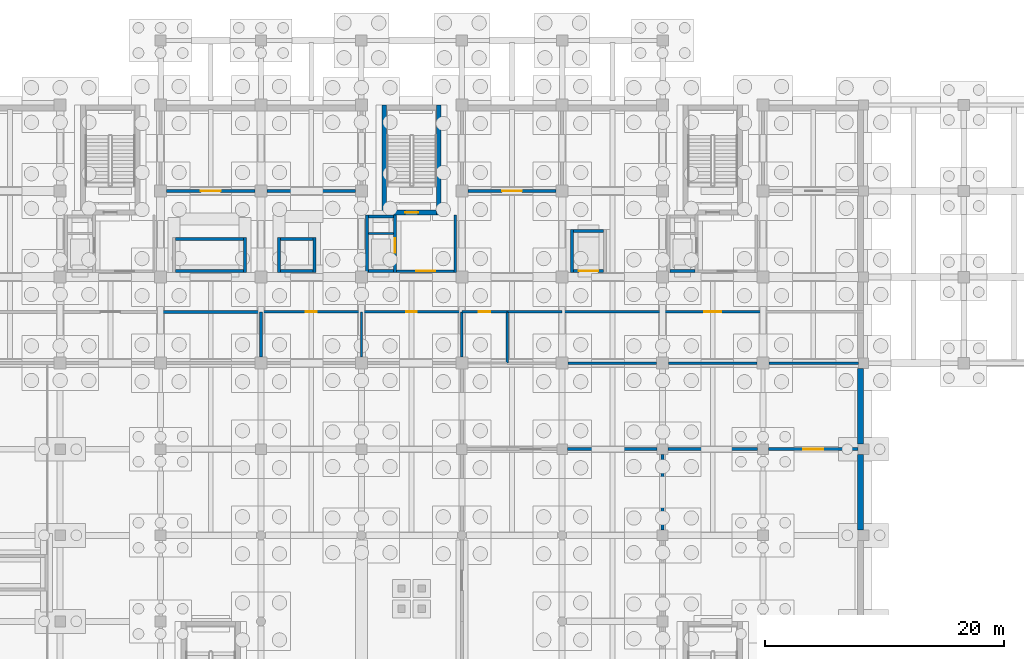
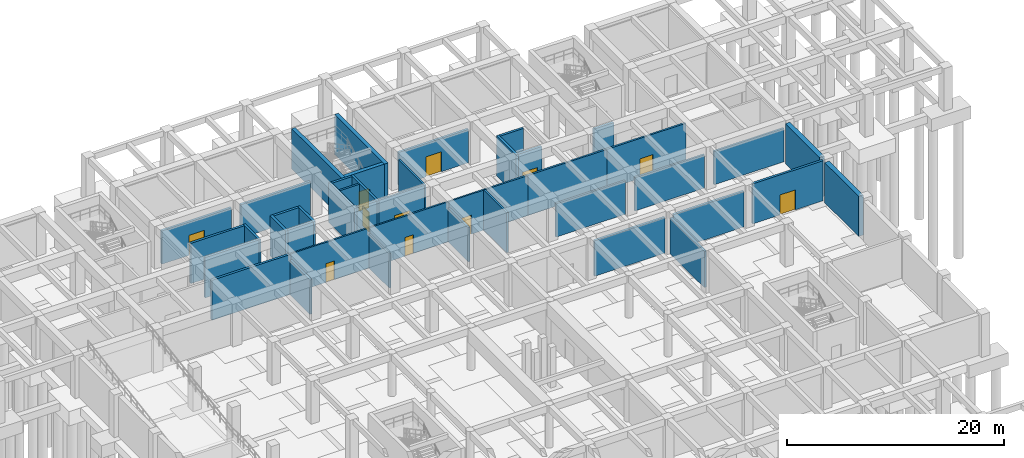
# One storey, part 19 of 26: 44 walls, 11 doors, 11 openings.
"""IFC4 building model written with IfcOpenShell, lengths in metres."""

from ifc_helpers import new_model, si_unit, direction, frame, frame_2d, origin, place, context, subcontext, project, spatial, rectangle, extrude, material, layer, layer_set, type_object, element, fill, save


model = new_model("IFC4")

# Units and contexts
model_context = context("Model", 3, precision=1e-05, world=origin(), true_north=direction((0.0, 1.0)))
body_context = subcontext(model_context, "Body", "Model", "MODEL_VIEW")
ifc_project = project(units=[si_unit("LENGTHUNIT", "METRE"), si_unit("AREAUNIT", "SQUARE_METRE"), si_unit("VOLUMEUNIT", "CUBIC_METRE"), si_unit("PLANEANGLEUNIT", "RADIAN"), si_unit("MASSUNIT", "GRAM", prefix="KILO")], contexts=[model_context])

# Site, building, storey
site_placement = place(None, origin())
site = spatial("IfcSite", under=ifc_project, at=site_placement, CompositionType="ELEMENT")
building_placement = place(site_placement, origin())
building = spatial("IfcBuilding", under=site, at=building_placement, Name="Kenerak Square Central Library", CompositionType="ELEMENT")
storey_placement = place(building_placement, frame((0.0, 0.0, -4.800048828125)))
storey = spatial("IfcBuildingStorey", under=building, at=storey_placement, Name="B1", CompositionType="ELEMENT", Elevation=-4.800048828125)

# Walls
ifc_material_1 = material(Name="Concrete C40/50", Category="concrete")
ifc_layer_1 = layer(ifc_material_1, 0.25)
ifc_layer_set_1 = layer_set([ifc_layer_1], Name="Concrete C40/50")
wall_type_1 = type_object("IfcWallType", Name="Archive Compartment Wall IW-250 C40/50", PredefinedType="SOLIDWALL", material=ifc_layer_set_1)
for number, where, z_axis, x_axis, name in (
    (1, (100.85009765625, 81.60009765625, 0.0), (0.0, 0.0, 1.0), (1.0, 0.0, 0.0), "Interior Wall IW-B1-02-N1-B3"),
    (2, (109.25, 81.60009765625, 0.0), (0.0, 0.0, 1.0), (1.0, 0.0, 0.0), "Interior Wall IW-B1-03-N1-B1"),
):
    element("IfcWall", number, at=place(storey_placement, frame(where, z_axis=z_axis, x_axis=x_axis)), inside=storey, type_object=wall_type_1, Name=name, PredefinedType="SOLIDWALL", context=body_context, shape_type="SweptSolid", body=[
        extrude(rectangle(XDim=7.5, YDim=0.25, at=frame_2d((3.75, 0.0))), origin(), (0.0, 0.0, 1.0), 4.0),
    ])

# Wall, opening, door
wall_1_placement = place(storey_placement, frame((117.64990234375, 81.60009765625, 0.0), z_axis=(0.0, 0.0, 1.0), x_axis=(1.0, 0.0, 0.0)))
wall_1 = element("IfcWall", 3, at=wall_1_placement, inside=storey, type_object=wall_type_1, Name="Interior Wall IW-B1-03-N1-B2", PredefinedType="SOLIDWALL", context=body_context, shape_type="SweptSolid", body=[
    extrude(rectangle(XDim=7.5, YDim=0.25, at=frame_2d((3.75, 0.0))), origin(), (0.0, 0.0, 1.0), 4.5),
])
opening_1_placement = place(wall_1_placement, frame((2.925048828125, 0.0, 0.0)))
opening_1 = element("IfcOpeningElement", 4, at=opening_1_placement, cuts=wall_1, Name="Opening ID-08", PredefinedType="OPENING", context=body_context, shape_type="SweptSolid", body=[
    extrude(rectangle(XDim=1.64990234375, YDim=2.25, at=frame_2d((0.824951171875, 1.125))), frame((0.0, 0.135009765625, 0.0), z_axis=(0.0, -1.0, 0.0), x_axis=(1.0, 0.0, 0.0)), (0.0, 0.0, 1.0), 0.27001953125),
])
ifc_material_2 = material(Name="Steel S355", Category="steel")
door_type_1 = type_object("IfcDoorType", Name="Vault Fire Compartment Double Door ID-1650x2250 FD120S", OperationType="NOTDEFINED", PredefinedType="DOOR", material=ifc_material_2)
door_1_placement = place(opening_1_placement, origin())
door_1 = element("IfcDoor", 5, at=door_1_placement, inside=storey, type_object=door_type_1, Name="Compact Mobile-Shelving Archive Vault East Door", OperationType="DOUBLE_DOOR_SINGLE_SWING", OverallHeight=2.25, OverallWidth=1.64990234375, PredefinedType="DOOR", context=body_context, shape_type="SweptSolid", body=[
    extrude(rectangle(XDim=1.64990234375, YDim=2.25, at=frame_2d((0.824951171875, 1.125))), frame((0.0, 0.02490234375, 0.0), z_axis=(0.0, -1.0, 0.0), x_axis=(1.0, 0.0, 0.0)), (0.0, 0.0, 1.0), 0.050048828125),
])
fill(opening_1, door_1)

# Walls
wall_2_placement = place(storey_placement, frame((66.800048828125, 93.10009765625, 0.0), z_axis=(0.0, 0.0, 1.0), x_axis=(1.0, 0.0, 0.0)))
element("IfcWall", 6, at=wall_2_placement, inside=storey, type_object=wall_type_1, Name="Interior Wall IW-B1-04-N1-B3", PredefinedType="SOLIDWALL", context=body_context, shape_type="SweptSolid", body=[
    extrude(rectangle(XDim=8.39990234375, YDim=0.25, at=frame_2d((4.199951171875, 0.0))), origin(), (0.0, 0.0, 1.0), 4.5),
])
wall_3_placement = place(storey_placement, frame((83.10009765625, 103.199951171875, 0.0), z_axis=(0.0, 0.0, 1.0), x_axis=(-1.0, 0.0, 0.0)))
element("IfcWall", 7, at=wall_3_placement, inside=storey, type_object=wall_type_1, Name="Interior Wall IW-B1-11-S1-B1", PredefinedType="SOLIDWALL", context=body_context, shape_type="SweptSolid", body=[
    extrude(rectangle(XDim=7.400146484375, YDim=0.25, at=frame_2d((3.7001953125, 0.0))), origin(), (0.0, 0.0, 1.0), 3.75),
])

# Wall, opening, door
wall_4_placement = place(storey_placement, frame((74.699951171875, 103.199951171875, 0.0), z_axis=(0.0, 0.0, 1.0), x_axis=(-1.0, 0.0, 0.0)))
wall_4 = element("IfcWall", 8, at=wall_4_placement, inside=storey, type_object=wall_type_1, Name="Interior Wall IW-B1-11-S1-B2", PredefinedType="SOLIDWALL", context=body_context, shape_type="SweptSolid", body=[
    extrude(rectangle(XDim=7.39990234375, YDim=0.25, at=frame_2d((3.699951171875, 0.0))), origin(), (0.0, 0.0, 1.0), 3.75),
])
opening_2_placement = place(wall_4_placement, frame((2.875, 0.0, 0.0)))
opening_2 = element("IfcOpeningElement", 9, at=opening_2_placement, cuts=wall_4, Name="Opening ID-08", PredefinedType="OPENING", context=body_context, shape_type="SweptSolid", body=[
    extrude(rectangle(XDim=1.64990234375, YDim=2.25, at=frame_2d((0.824951171875, 1.125))), frame((0.0, 0.135009765625, 0.0), z_axis=(0.0, -1.0, 0.0), x_axis=(1.0, 0.0, 0.0)), (0.0, 0.0, 1.0), 0.27001953125),
])
door_2_placement = place(opening_2_placement, origin())
door_2 = element("IfcDoor", 10, at=door_2_placement, inside=storey, type_object=door_type_1, Name="Bound Newspaper Microfilm Compact Vault Door", OperationType="DOUBLE_DOOR_SINGLE_SWING", OverallHeight=2.25, OverallWidth=1.64990234375, PredefinedType="DOOR", context=body_context, shape_type="SweptSolid", body=[
    extrude(rectangle(XDim=1.64990234375, YDim=2.25, at=frame_2d((0.824951171875, 1.125))), frame((0.0, 0.02490234375, 0.0), z_axis=(0.0, -1.0, 0.0), x_axis=(1.0, 0.0, 0.0)), (0.0, 0.0, 1.0), 0.050048828125),
])
fill(opening_2, door_2)

wall_5_placement = place(storey_placement, frame((99.89990234375, 103.199951171875, 0.0), z_axis=(0.0, 0.0, 1.0), x_axis=(-1.0, 0.0, 0.0)))
wall_5 = element("IfcWall", 11, at=wall_5_placement, inside=storey, type_object=wall_type_1, Name="Interior Wall IW-B1-12-S1-B1", PredefinedType="SOLIDWALL", context=body_context, shape_type="SweptSolid", body=[
    extrude(rectangle(XDim=7.39990234375, YDim=0.25, at=frame_2d((3.699951171875, 0.0))), origin(), (0.0, 0.0, 1.0), 3.75),
])
opening_3_placement = place(wall_5_placement, frame((2.875, 0.0, 0.0)))
opening_3 = element("IfcOpeningElement", 12, at=opening_3_placement, cuts=wall_5, Name="Opening ID-08", PredefinedType="OPENING", context=body_context, shape_type="SweptSolid", body=[
    extrude(rectangle(XDim=1.64990234375, YDim=2.25, at=frame_2d((0.824951171875, 1.125))), frame((0.0, 0.135009765625, 0.0), z_axis=(0.0, -1.0, 0.0), x_axis=(1.0, 0.0, 0.0)), (0.0, 0.0, 1.0), 0.27001953125),
])
door_3_placement = place(opening_3_placement, origin())
door_3 = element("IfcDoor", 13, at=door_3_placement, inside=storey, type_object=door_type_1, Name="Government Gazette Archival Compact Stack Door", OperationType="DOUBLE_DOOR_SINGLE_SWING", OverallHeight=2.25, OverallWidth=1.64990234375, PredefinedType="DOOR", context=body_context, shape_type="SweptSolid", body=[
    extrude(rectangle(XDim=1.64990234375, YDim=2.25, at=frame_2d((0.824951171875, 1.125))), frame((0.0, 0.02490234375, 0.0), z_axis=(0.0, -1.0, 0.0), x_axis=(1.0, 0.0, 0.0)), (0.0, 0.0, 1.0), 0.050048828125),
])
fill(opening_3, door_3)

# Walls
wall_6_placement = place(storey_placement, frame((108.800048828125, 81.14990234375, 0.0), z_axis=(0.0, 0.0, 1.0), x_axis=(0.0, -1.0, 0.0)))
element("IfcWall", 14, at=wall_6_placement, inside=storey, type_object=wall_type_1, Name="Interior Wall IW-B1-02-E3-B1", PredefinedType="SOLIDWALL", context=body_context, shape_type="SweptSolid", body=[
    extrude(rectangle(XDim=6.2998046875, YDim=0.25, at=frame_2d((3.14990234375, 0.0))), origin(), (0.0, 0.0, 1.0), 4.050048828125),
])
wall_7_placement = place(storey_placement, frame((75.199951171875, 93.10009765625, 0.0), z_axis=(0.0, 0.0, 1.0), x_axis=(0.0, -1.0, 0.0)))
element("IfcWall", 15, at=wall_7_placement, inside=storey, type_object=wall_type_1, Name="Interior Wall IW-B1-04-E3-B1", PredefinedType="SOLIDWALL", context=body_context, shape_type="SweptSolid", body=[
    extrude(rectangle(XDim=3.800048828125, YDim=0.25, at=frame_2d((1.89990234375, 0.0))), origin(), (0.0, 0.0, 1.0), 3.85009765625),
])
ifc_layer_2 = layer(ifc_material_1, 0.39990234375)
ifc_layer_set_2 = layer_set([ifc_layer_2], Name="Concrete C40/50")
wall_type_2 = type_object("IfcWallType", Name="Core Shear Wall CW-400 C40/50", PredefinedType="SHEAR", material=ifc_layer_set_2)
for number, where, z_axis, x_axis, name in (
    (16, (85.52001953125, 101.199951171875, 0.0), (0.0, 0.0, 1.0), (0.0, 1.0, 0.0), "Core Wall CW-C2 B1 West"),
    (17, (90.080078125, 110.39990234375, 0.0), (0.0, 0.0, 1.0), (0.0, -1.0, 0.0), "Core Wall CW-C2 B1 East"),
):
    element("IfcWall", number, at=place(storey_placement, frame(where, z_axis=z_axis, x_axis=x_axis)), inside=storey, type_object=wall_type_2, Name=name, PredefinedType="SHEAR", context=body_context, shape_type="SweptSolid", body=[
        extrude(rectangle(XDim=9.199951171875, YDim=0.39990234375, at=frame_2d((4.60009765625, 0.0))), origin(), (0.0, 0.0, 1.0), 4.5),
    ])

# Wall, opening, door
wall_8_placement = place(storey_placement, frame((89.8798828125, 101.39990234375, 0.0), z_axis=(0.0, 0.0, 1.0), x_axis=(-1.0, 0.0, 0.0)))
wall_8 = element("IfcWall", 18, at=wall_8_placement, inside=storey, type_object=wall_type_2, Name="Core Wall CW-C2 B1 South", PredefinedType="SHEAR", context=body_context, shape_type="SweptSolid", body=[
    extrude(rectangle(XDim=4.159912109375, YDim=0.39990234375, at=frame_2d((2.080078125, 0.0))), origin(), (0.0, 0.0, 1.0), 4.5),
])
opening_4_placement = place(wall_8_placement, frame((1.530029296875, 0.0, 0.0)))
opening_4 = element("IfcOpeningElement", 19, at=opening_4_placement, cuts=wall_8, Name="Opening D-ST1", PredefinedType="OPENING", context=body_context, shape_type="SweptSolid", body=[
    extrude(rectangle(XDim=1.10009765625, YDim=2.199951171875, at=frame_2d((0.550048828125, 1.10009765625))), frame((0.0, 0.2099609375, 0.0), z_axis=(0.0, -1.0, 0.0), x_axis=(1.0, 0.0, 0.0)), (0.0, 0.0, 1.0), 0.419921875),
])
door_type_2 = type_object("IfcDoorType", Name="Protected Stair Fire Door FD-1100x2200 FD60S", OperationType="NOTDEFINED", PredefinedType="DOOR", material=ifc_material_2)
door_4_placement = place(opening_4_placement, frame((1.10009765625, 0.0, 0.0), z_axis=(0.0, 0.0, 1.0), x_axis=(-1.0, 0.0, 0.0)))
door_4 = element("IfcDoor", 20, at=door_4_placement, inside=storey, type_object=door_type_2, Name="Stair Door ST-02 B1", OperationType="SINGLE_SWING_LEFT", OverallHeight=2.199951171875, OverallWidth=1.10009765625, PredefinedType="DOOR", context=body_context, shape_type="SweptSolid", body=[
    extrude(rectangle(XDim=1.10009765625, YDim=2.199951171875, at=frame_2d((0.550048828125, 1.10009765625))), frame((0.0, 0.02490234375, 0.0), z_axis=(0.0, -1.0, 0.0), x_axis=(1.0, 0.0, 0.0)), (0.0, 0.0, 1.0), 0.050048828125),
])
fill(opening_4, door_4)

# Walls
ifc_layer_3 = layer(ifc_material_1, 0.199951171875)
ifc_layer_set_3 = layer_set([ifc_layer_3], Name="Concrete C40/50")
wall_type_3 = type_object("IfcWallType", Name="Lobby Compartment Wall LW-200 C40/50", PredefinedType="SOLIDWALL", material=ifc_layer_set_3)
wall_9_placement = place(storey_placement, frame((84.199951171875, 99.64990234375, 0.0), z_axis=(0.0, 0.0, 1.0), x_axis=(1.0, 0.0, 0.0)))
element("IfcWall", 21, at=wall_9_placement, inside=storey, type_object=wall_type_3, Name="Riser Divider Wall C2 B1", PredefinedType="SOLIDWALL", context=body_context, shape_type="SweptSolid", body=[
    extrude(rectangle(XDim=2.10009765625, YDim=0.199951171875, at=frame_2d((1.050048828125, 0.0))), origin(), (0.0, 0.0, 1.0), 4.5),
])
wall_10_placement = place(storey_placement, frame((91.449951171875, 101.199951171875, 0.0), z_axis=(0.0, 0.0, 1.0), x_axis=(0.0, -1.0, 0.0)))
element("IfcWall", 22, at=wall_10_placement, inside=storey, type_object=wall_type_3, Name="Firefighting Lobby East Wall C2 B1", PredefinedType="SOLIDWALL", context=body_context, shape_type="SweptSolid", body=[
    extrude(rectangle(XDim=4.800048828125, YDim=0.199951171875, at=frame_2d((2.39990234375, 0.0))), origin(), (0.0, 0.0, 1.0), 4.5),
])

# Wall, opening, door
wall_11_placement = place(storey_placement, frame((91.35009765625, 96.5, 0.0), z_axis=(0.0, 0.0, 1.0), x_axis=(-1.0, 0.0, 0.0)))
wall_11 = element("IfcWall", 23, at=wall_11_placement, inside=storey, type_object=wall_type_3, Name="Firefighting Lobby South Wall C2 B1", PredefinedType="SOLIDWALL", context=body_context, shape_type="SweptSolid", body=[
    extrude(rectangle(XDim=4.800048828125, YDim=0.199951171875, at=frame_2d((2.39990234375, 0.0))), origin(), (0.0, 0.0, 1.0), 4.5),
])
opening_5_placement = place(wall_11_placement, frame((1.550048828125, 0.0, 0.0)))
opening_5 = element("IfcOpeningElement", 24, at=opening_5_placement, cuts=wall_11, Name="Opening D-FFL", PredefinedType="OPENING", context=body_context, shape_type="SweptSolid", body=[
    extrude(rectangle(XDim=1.60009765625, YDim=2.199951171875, at=frame_2d((0.800048828125, 1.10009765625))), frame((0.0, 0.10986328125, 0.0), z_axis=(0.0, -1.0, 0.0), x_axis=(1.0, 0.0, 0.0)), (0.0, 0.0, 1.0), 0.219970703125),
])
door_type_3 = type_object("IfcDoorType", Name="Firefighting Lobby Double Door FD-1600x2200 FD60S", OperationType="NOTDEFINED", PredefinedType="DOOR", material=ifc_material_2)
door_5_placement = place(opening_5_placement, frame((1.60009765625, 0.0, 0.0), z_axis=(0.0, 0.0, 1.0), x_axis=(-1.0, 0.0, 0.0)))
door_5 = element("IfcDoor", 25, at=door_5_placement, inside=storey, type_object=door_type_3, Name="Firefighting Lobby Door C2 B1", OperationType="DOUBLE_DOOR_SINGLE_SWING", OverallHeight=2.199951171875, OverallWidth=1.60009765625, PredefinedType="DOOR", context=body_context, shape_type="SweptSolid", body=[
    extrude(rectangle(XDim=1.60009765625, YDim=2.199951171875, at=frame_2d((0.800048828125, 1.10009765625))), frame((0.0, 0.02490234375, 0.0), z_axis=(0.0, -1.0, 0.0), x_axis=(1.0, 0.0, 0.0)), (0.0, 0.0, 1.0), 0.050048828125),
])
fill(opening_5, door_5)

# Walls
ifc_material_3 = material(Name="Precast concrete C40/50", Category="concrete")
ifc_layer_4 = layer(ifc_material_3, 0.199951171875)
ifc_layer_set_4 = layer_set([ifc_layer_4], Name="Precast concrete C40/50")
wall_type_4 = type_object("IfcWallType", Name="Protected Corridor Fire Wall IW-200 C40/50", PredefinedType="PARTITIONING", material=ifc_layer_set_4)
wall_12_placement = place(storey_placement, frame((95.800048828125, 93.10009765625, 0.0), z_axis=(0.0, 0.0, 1.0), x_axis=(1.0, 0.0, 0.0)))
element("IfcWall", 26, at=wall_12_placement, inside=storey, type_object=wall_type_4, Name="Interior Wall IW-B1-07-N1-B1", PredefinedType="PARTITIONING", context=body_context, shape_type="SweptSolid", body=[
    extrude(rectangle(XDim=4.599853515625, YDim=0.199951171875, at=frame_2d((2.2998046875, 0.0))), origin(), (0.0, 0.0, 1.0), 4.5),
])
wall_13_placement = place(storey_placement, frame((100.39990234375, 93.10009765625, 0.0), z_axis=(0.0, 0.0, 1.0), x_axis=(1.0, 0.0, 0.0)))
element("IfcWall", 27, at=wall_13_placement, inside=storey, type_object=wall_type_4, Name="Interior Wall IW-B1-07-N1-B2", PredefinedType="PARTITIONING", context=body_context, shape_type="SweptSolid", body=[
    extrude(rectangle(XDim=8.400146484375, YDim=0.199951171875, at=frame_2d((4.2001953125, 0.0))), origin(), (0.0, 0.0, 1.0), 4.5),
])

# Wall, opening, door
wall_14_placement = place(storey_placement, frame((108.800048828125, 93.10009765625, 0.0), z_axis=(0.0, 0.0, 1.0), x_axis=(1.0, 0.0, 0.0)))
wall_14 = element("IfcWall", 28, at=wall_14_placement, inside=storey, type_object=wall_type_4, Name="Interior Wall IW-B1-07-N1-B3", PredefinedType="PARTITIONING", context=body_context, shape_type="SweptSolid", body=[
    extrude(rectangle(XDim=8.39990234375, YDim=0.199951171875, at=frame_2d((4.199951171875, 0.0))), origin(), (0.0, 0.0, 1.0), 4.5),
])
opening_6_placement = place(wall_14_placement, frame((3.5, 0.0, 0.0)))
opening_6 = element("IfcOpeningElement", 29, at=opening_6_placement, cuts=wall_14, Name="Opening ID-07", PredefinedType="OPENING", context=body_context, shape_type="SweptSolid", body=[
    extrude(rectangle(XDim=1.39990234375, YDim=2.199951171875, at=frame_2d((0.699951171875, 1.10009765625))), frame((0.0, 0.10986328125, 0.0), z_axis=(0.0, -1.0, 0.0), x_axis=(1.0, 0.0, 0.0)), (0.0, 0.0, 1.0), 0.219970703125),
])
door_type_4 = type_object("IfcDoorType", Name="Plant and Store Unequal Pair Door ID-1400x2200 FD60S", OperationType="NOTDEFINED", PredefinedType="DOOR", material=ifc_material_2)
door_6_placement = place(opening_6_placement, origin())
door_6 = element("IfcDoor", 30, at=door_6_placement, inside=storey, type_object=door_type_4, Name="Archival Crate Receiving and Quarantine Store Door", OperationType="SINGLE_SWING_LEFT", OverallHeight=2.199951171875, OverallWidth=1.39990234375, PredefinedType="DOOR", context=body_context, shape_type="SweptSolid", body=[
    extrude(rectangle(XDim=1.39990234375, YDim=2.199951171875, at=frame_2d((0.699951171875, 1.10009765625))), frame((0.0, 0.02490234375, 0.0), z_axis=(0.0, -1.0, 0.0), x_axis=(1.0, 0.0, 0.0)), (0.0, 0.0, 1.0), 0.050048828125),
])
fill(opening_6, door_6)

# Walls
wall_15_placement = place(storey_placement, frame((125.175048828125, 88.800048828125, 0.0), z_axis=(0.0, 0.0, 1.0), x_axis=(-1.0, 0.0, 0.0)))
element("IfcWall", 31, at=wall_15_placement, inside=storey, type_object=wall_type_4, Name="Interior Wall IW-B1-07-S2-B1", PredefinedType="PARTITIONING", context=body_context, shape_type="SweptSolid", body=[
    extrude(rectangle(XDim=7.47509765625, YDim=0.199951171875, at=frame_2d((3.737548828125, 0.0))), origin(), (0.0, 0.0, 1.0), 3.75),
])
wall_16_placement = place(storey_placement, frame((116.699951171875, 88.800048828125, 0.0), z_axis=(0.0, 0.0, 1.0), x_axis=(-1.0, 0.0, 0.0)))
element("IfcWall", 32, at=wall_16_placement, inside=storey, type_object=wall_type_4, Name="Interior Wall IW-B1-07-S2-B2", PredefinedType="PARTITIONING", context=body_context, shape_type="SweptSolid", body=[
    extrude(rectangle(XDim=7.39990234375, YDim=0.199951171875, at=frame_2d((3.699951171875, 0.0))), origin(), (0.0, 0.0, 1.0), 3.75),
])
wall_17_placement = place(storey_placement, frame((108.300048828125, 88.800048828125, 0.0), z_axis=(0.0, 0.0, 1.0), x_axis=(-1.0, 0.0, 0.0)))
element("IfcWall", 33, at=wall_17_placement, inside=storey, type_object=wall_type_4, Name="Interior Wall IW-B1-07-S2-B3", PredefinedType="PARTITIONING", context=body_context, shape_type="SweptSolid", body=[
    extrude(rectangle(XDim=7.400146484375, YDim=0.199951171875, at=frame_2d((3.7001953125, 0.0))), origin(), (0.0, 0.0, 1.0), 3.75),
])
wall_18_placement = place(storey_placement, frame((95.800048828125, 88.800048828125, 0.0), z_axis=(0.0, 0.0, 1.0), x_axis=(0.0, 1.0, 0.0)))
element("IfcWall", 34, at=wall_18_placement, inside=storey, type_object=wall_type_4, Name="Interior Wall IW-B1-07-W3-B1", PredefinedType="PARTITIONING", context=body_context, shape_type="SweptSolid", body=[
    extrude(rectangle(XDim=4.300048828125, YDim=0.199951171875, at=frame_2d((2.14990234375, 0.0))), origin(), (0.0, 0.0, 1.0), 4.5),
])

# Wall, opening, door
ifc_layer_5 = layer(ifc_material_3, 0.175048828125)
ifc_layer_set_5 = layer_set([ifc_layer_5], Name="Precast concrete C40/50")
wall_type_5 = type_object("IfcWallType", Name="Sanitary Plumbing Chase Wall IW-175 C40/50", PredefinedType="PLUMBINGWALL", material=ifc_layer_set_5)
wall_19_placement = place(storey_placement, frame((75.199951171875, 93.10009765625, 0.0), z_axis=(0.0, 0.0, 1.0), x_axis=(1.0, 0.0, 0.0)))
wall_19 = element("IfcWall", 35, at=wall_19_placement, inside=storey, type_object=wall_type_5, Name="Interior Wall IW-B1-08-N2-B1", PredefinedType="PLUMBINGWALL", context=body_context, shape_type="SweptSolid", body=[
    extrude(rectangle(XDim=8.400146484375, YDim=0.175048828125, at=frame_2d((4.2001953125, 0.0))), origin(), (0.0, 0.0, 1.0), 4.5),
])
opening_7_placement = place(wall_19_placement, frame((3.75, 0.0, 0.0)))
opening_7 = element("IfcOpeningElement", 36, at=opening_7_placement, cuts=wall_19, Name="Opening ID-01", PredefinedType="OPENING", context=body_context, shape_type="SweptSolid", body=[
    extrude(rectangle(XDim=0.89990234375, YDim=2.10009765625, at=frame_2d((0.449951171875, 1.050048828125))), frame((0.0, 0.097412109375, 0.0), z_axis=(0.0, -1.0, 0.0), x_axis=(1.0, 0.0, 0.0)), (0.0, 0.0, 1.0), 0.195068359375),
])
ifc_material_4 = material(Name="Chengal hardwood timber SG1", Category="wood")
door_type_5 = type_object("IfcDoorType", Name="Restroom Single Door ID-900x2100", OperationType="NOTDEFINED", PredefinedType="DOOR", material=ifc_material_4)
door_7_placement = place(opening_7_placement, origin())
door_7 = element("IfcDoor", 37, at=door_7_placement, inside=storey, type_object=door_type_5, Name="Basement Male Restroom Door", OperationType="SINGLE_SWING_LEFT", OverallHeight=2.10009765625, OverallWidth=0.89990234375, PredefinedType="DOOR", context=body_context, shape_type="SweptSolid", body=[
    extrude(rectangle(XDim=0.89990234375, YDim=2.10009765625, at=frame_2d((0.449951171875, 1.050048828125))), frame((0.0, 0.02490234375, 0.0), z_axis=(0.0, -1.0, 0.0), x_axis=(1.0, 0.0, 0.0)), (0.0, 0.0, 1.0), 0.050048828125),
])
fill(opening_7, door_7)

wall_20_placement = place(storey_placement, frame((83.60009765625, 93.10009765625, 0.0), z_axis=(0.0, 0.0, 1.0), x_axis=(1.0, 0.0, 0.0)))
wall_20 = element("IfcWall", 38, at=wall_20_placement, inside=storey, type_object=wall_type_5, Name="Interior Wall IW-B1-09-N2-B1", PredefinedType="PLUMBINGWALL", context=body_context, shape_type="SweptSolid", body=[
    extrude(rectangle(XDim=8.39990234375, YDim=0.175048828125, at=frame_2d((4.199951171875, 0.0))), origin(), (0.0, 0.0, 1.0), 4.5),
])
opening_8_placement = place(wall_20_placement, frame((3.75, 0.0, 0.0)))
opening_8 = element("IfcOpeningElement", 39, at=opening_8_placement, cuts=wall_20, Name="Opening ID-01", PredefinedType="OPENING", context=body_context, shape_type="SweptSolid", body=[
    extrude(rectangle(XDim=0.89990234375, YDim=2.10009765625, at=frame_2d((0.449951171875, 1.050048828125))), frame((0.0, 0.097412109375, 0.0), z_axis=(0.0, -1.0, 0.0), x_axis=(1.0, 0.0, 0.0)), (0.0, 0.0, 1.0), 0.195068359375),
])
door_8_placement = place(opening_8_placement, origin())
door_8 = element("IfcDoor", 40, at=door_8_placement, inside=storey, type_object=door_type_5, Name="Basement Female Restroom Door", OperationType="SINGLE_SWING_RIGHT", OverallHeight=2.10009765625, OverallWidth=0.89990234375, PredefinedType="DOOR", context=body_context, shape_type="SweptSolid", body=[
    extrude(rectangle(XDim=0.89990234375, YDim=2.10009765625, at=frame_2d((0.449951171875, 1.050048828125))), frame((0.0, 0.02490234375, 0.0), z_axis=(0.0, -1.0, 0.0), x_axis=(1.0, 0.0, 0.0)), (0.0, 0.0, 1.0), 0.050048828125),
])
fill(opening_8, door_8)

wall_21_placement = place(storey_placement, frame((92.0, 93.10009765625, 0.0), z_axis=(0.0, 0.0, 1.0), x_axis=(1.0, 0.0, 0.0)))
wall_21 = element("IfcWall", 41, at=wall_21_placement, inside=storey, type_object=wall_type_5, Name="Interior Wall IW-B1-10-N2-B1", PredefinedType="PLUMBINGWALL", context=body_context, shape_type="SweptSolid", body=[
    extrude(rectangle(XDim=3.800048828125, YDim=0.175048828125, at=frame_2d((1.89990234375, 0.0))), origin(), (0.0, 0.0, 1.0), 4.5),
])
opening_9_placement = place(wall_21_placement, frame((1.39990234375, 0.0, 0.0)))
opening_9 = element("IfcOpeningElement", 42, at=opening_9_placement, cuts=wall_21, Name="Opening ID-03", PredefinedType="OPENING", context=body_context, shape_type="SweptSolid", body=[
    extrude(rectangle(XDim=1.0, YDim=2.14990234375, at=frame_2d((0.5, 1.074951171875))), frame((0.0, 0.097412109375, 0.0), z_axis=(0.0, -1.0, 0.0), x_axis=(1.0, 0.0, 0.0)), (0.0, 0.0, 1.0), 0.195068359375),
])
door_type_6 = type_object("IfcDoorType", Name="Accessible OKU WC Door ID-1000x2150", OperationType="NOTDEFINED", PredefinedType="DOOR", material=ifc_material_4)
door_9_placement = place(opening_9_placement, origin())
door_9 = element("IfcDoor", 43, at=door_9_placement, inside=storey, type_object=door_type_6, Name="Basement Accessible WC Door", OperationType="SINGLE_SWING_LEFT", OverallHeight=2.14990234375, OverallWidth=1.0, PredefinedType="DOOR", context=body_context, shape_type="SweptSolid", body=[
    extrude(rectangle(XDim=1.0, YDim=2.14990234375, at=frame_2d((0.5, 1.074951171875))), frame((0.0, 0.02490234375, 0.0), z_axis=(0.0, -1.0, 0.0), x_axis=(1.0, 0.0, 0.0)), (0.0, 0.0, 1.0), 0.050048828125),
])
fill(opening_9, door_9)

# Walls
for number, where, z_axis, x_axis, name in (
    (44, (83.60009765625, 93.10009765625, 0.0), (0.0, 0.0, 1.0), (0.0, -1.0, 0.0), "Interior Wall IW-B1-08-E4-B1"),
    (45, (92.0, 93.10009765625, 0.0), (0.0, 0.0, 1.0), (0.0, -1.0, 0.0), "Interior Wall IW-B1-09-E4-B1"),
):
    element("IfcWall", number, at=place(storey_placement, frame(where, z_axis=z_axis, x_axis=x_axis)), inside=storey, type_object=wall_type_5, Name=name, PredefinedType="PLUMBINGWALL", context=body_context, shape_type="SweptSolid", body=[
        extrude(rectangle(XDim=3.800048828125, YDim=0.175048828125, at=frame_2d((1.89990234375, 0.0))), origin(), (0.0, 0.0, 1.0), 3.85009765625),
    ])
ifc_layer_6 = layer(ifc_material_1, 0.25)
ifc_layer_set_6 = layer_set([ifc_layer_6], Name="Concrete C40/50")
wall_type_6 = type_object("IfcWallType", Name="Shaft Enclosure Wall SW-250 C40/50", PredefinedType="SOLIDWALL", material=ifc_layer_set_6)
wall_22_placement = place(storey_placement, frame((84.074951171875, 96.39990234375, 0.0), z_axis=(0.0, 0.0, 1.0), x_axis=(0.0, 1.0, 0.0)))
element("IfcWall", 46, at=wall_22_placement, inside=storey, type_object=wall_type_6, Name="Core Wall FLW-C2 B1 West", PredefinedType="SOLIDWALL", context=body_context, shape_type="SweptSolid", body=[
    extrude(rectangle(XDim=4.800048828125, YDim=0.25, at=frame_2d((2.39990234375, 0.0))), origin(), (0.0, 0.0, 1.0), 4.5),
])

# Wall, opening, door
wall_23_placement = place(storey_placement, frame((86.425048828125, 101.199951171875, 0.0), z_axis=(0.0, 0.0, 1.0), x_axis=(0.0, -1.0, 0.0)))
wall_23 = element("IfcWall", 47, at=wall_23_placement, inside=storey, type_object=wall_type_6, Name="Core Wall FLW-C2 B1 East", PredefinedType="SOLIDWALL", context=body_context, shape_type="SweptSolid", body=[
    extrude(rectangle(XDim=4.800048828125, YDim=0.25, at=frame_2d((2.39990234375, 0.0))), origin(), (0.0, 0.0, 1.0), 4.5),
])
opening_10_placement = place(wall_23_placement, frame((1.949951171875, 0.0, 0.0)))
opening_10 = element("IfcOpeningElement", 48, at=opening_10_placement, cuts=wall_23, Name="Opening LD-FL", PredefinedType="OPENING", context=body_context, shape_type="SweptSolid", body=[
    extrude(rectangle(XDim=1.199951171875, YDim=2.199951171875, at=frame_2d((0.60009765625, 1.10009765625))), frame((0.0, 0.135009765625, 0.0), z_axis=(0.0, -1.0, 0.0), x_axis=(1.0, 0.0, 0.0)), (0.0, 0.0, 1.0), 0.27001953125),
])
door_type_7 = type_object("IfcDoorType", Name="Firefighting Lift Sliding Landing Door LD-1200x2200 FD120S", OperationType="NOTDEFINED", PredefinedType="DOOR", material=ifc_material_2)
door_10_placement = place(opening_10_placement, origin())
door_10 = element("IfcDoor", 49, at=door_10_placement, inside=storey, type_object=door_type_7, Name="Firefighting Lift Landing Door FL-02 B1", OperationType="SLIDING_TO_LEFT", OverallHeight=2.199951171875, OverallWidth=1.199951171875, PredefinedType="DOOR", context=body_context, shape_type="SweptSolid", body=[
    extrude(rectangle(XDim=1.199951171875, YDim=2.199951171875, at=frame_2d((0.60009765625, 1.10009765625))), frame((0.0, 0.02490234375, 0.0), z_axis=(0.0, -1.0, 0.0), x_axis=(1.0, 0.0, 0.0)), (0.0, 0.0, 1.0), 0.050048828125),
])
fill(opening_10, door_10)

# Walls
for number, where, z_axis, x_axis, name in (
    (50, (86.300048828125, 96.52490234375, 0.0), (0.0, 0.0, 1.0), (-1.0, 0.0, 0.0), "Core Wall FLW-C2 B1 South"),
    (51, (84.199951171875, 101.074951171875, 0.0), (0.0, 0.0, 1.0), (1.0, 0.0, 0.0), "Core Wall FLW-C2 B1 North"),
    (52, (111.5, 96.52490234375, 0.0), (0.0, 0.0, 1.0), (-1.0, 0.0, 0.0), "Core Wall FLW-C3 B1 South"),
):
    element("IfcWall", number, at=place(storey_placement, frame(where, z_axis=z_axis, x_axis=x_axis)), inside=storey, type_object=wall_type_6, Name=name, PredefinedType="SOLIDWALL", context=body_context, shape_type="SweptSolid", body=[
        extrude(rectangle(XDim=2.10009765625, YDim=0.25, at=frame_2d((1.050048828125, 0.0))), origin(), (0.0, 0.0, 1.0), 4.5),
    ])
wall_24_placement = place(storey_placement, frame((73.875, 99.300048828125, 0.0), z_axis=(0.0, 0.0, 1.0), x_axis=(0.0, -1.0, 0.0)))
element("IfcWall", 53, at=wall_24_placement, inside=storey, type_object=wall_type_6, Name="Core Wall PLPITW B1 East", PredefinedType="SOLIDWALL", context=body_context, shape_type="SweptSolid", body=[
    extrude(rectangle(XDim=2.900146484375, YDim=0.25, at=frame_2d((1.4501953125, 0.0))), origin(), (0.0, 0.0, 1.0), 4.525146484375),
])
for number, where, z_axis, x_axis, name in (
    (54, (73.75, 96.52490234375, 0.0), (0.0, 0.0, 1.0), (-1.0, 0.0, 0.0), "Core Wall PLPITW B1 South"),
    (55, (68.050048828125, 99.175048828125, 0.0), (0.0, 0.0, 1.0), (1.0, 0.0, 0.0), "Core Wall PLPITW B1 North"),
):
    element("IfcWall", number, at=place(storey_placement, frame(where, z_axis=z_axis, x_axis=x_axis)), inside=storey, type_object=wall_type_6, Name=name, PredefinedType="SOLIDWALL", context=body_context, shape_type="SweptSolid", body=[
        extrude(rectangle(XDim=5.699951171875, YDim=0.25, at=frame_2d((2.85009765625, 0.0))), origin(), (0.0, 0.0, 1.0), 4.525146484375),
    ])
for number, where, z_axis, x_axis, name in (
    (56, (76.72509765625, 96.39990234375, 0.0), (0.0, 0.0, 1.0), (0.0, 1.0, 0.0), "Core Wall PLPITE B1 West"),
    (57, (79.675048828125, 99.300048828125, 0.0), (0.0, 0.0, 1.0), (0.0, -1.0, 0.0), "Core Wall PLPITE B1 East"),
):
    element("IfcWall", number, at=place(storey_placement, frame(where, z_axis=z_axis, x_axis=x_axis)), inside=storey, type_object=wall_type_6, Name=name, PredefinedType="SOLIDWALL", context=body_context, shape_type="SweptSolid", body=[
        extrude(rectangle(XDim=2.900146484375, YDim=0.25, at=frame_2d((1.4501953125, 0.0))), origin(), (0.0, 0.0, 1.0), 4.525146484375),
    ])
for number, where, z_axis, x_axis, name in (
    (58, (79.550048828125, 96.52490234375, 0.0), (0.0, 0.0, 1.0), (-1.0, 0.0, 0.0), "Core Wall PLPITE B1 South"),
    (59, (76.85009765625, 99.175048828125, 0.0), (0.0, 0.0, 1.0), (1.0, 0.0, 0.0), "Core Wall PLPITE B1 North"),
):
    element("IfcWall", number, at=place(storey_placement, frame(where, z_axis=z_axis, x_axis=x_axis)), inside=storey, type_object=wall_type_6, Name=name, PredefinedType="SOLIDWALL", context=body_context, shape_type="SweptSolid", body=[
        extrude(rectangle(XDim=2.699951171875, YDim=0.25, at=frame_2d((1.35009765625, 0.0))), origin(), (0.0, 0.0, 1.0), 4.525146484375),
    ])
wall_25_placement = place(storey_placement, frame((101.22509765625, 96.39990234375, 0.0), z_axis=(0.0, 0.0, 1.0), x_axis=(0.0, 1.0, 0.0)))
element("IfcWall", 60, at=wall_25_placement, inside=storey, type_object=wall_type_6, Name="Core Wall GLSHAFT B1 West", PredefinedType="SOLIDWALL", context=body_context, shape_type="SweptSolid", body=[
    extrude(rectangle(XDim=3.60009765625, YDim=0.25, at=frame_2d((1.800048828125, 0.0))), origin(), (0.0, 0.0, 1.0), 4.5),
])

# Wall, opening, door
wall_26_placement = place(storey_placement, frame((103.85009765625, 96.52490234375, 0.0), z_axis=(0.0, 0.0, 1.0), x_axis=(-1.0, 0.0, 0.0)))
wall_26 = element("IfcWall", 61, at=wall_26_placement, inside=storey, type_object=wall_type_6, Name="Core Wall GLSHAFT B1 South", PredefinedType="SOLIDWALL", context=body_context, shape_type="SweptSolid", body=[
    extrude(rectangle(XDim=2.5, YDim=0.25, at=frame_2d((1.25, 0.0))), origin(), (0.0, 0.0, 1.0), 4.5),
])
opening_11_placement = place(wall_26_placement, frame((0.449951171875, 0.0, 0.0)))
opening_11 = element("IfcOpeningElement", 62, at=opening_11_placement, cuts=wall_26, Name="Opening LD-GL", PredefinedType="OPENING", context=body_context, shape_type="SweptSolid", body=[
    extrude(rectangle(XDim=1.60009765625, YDim=2.300048828125, at=frame_2d((0.800048828125, 1.14990234375))), frame((0.0, 0.135009765625, 0.0), z_axis=(0.0, -1.0, 0.0), x_axis=(1.0, 0.0, 0.0)), (0.0, 0.0, 1.0), 0.27001953125),
])
door_type_8 = type_object("IfcDoorType", Name="Goods Lift Sliding Landing Door LD-1600x2300 FD120S", OperationType="NOTDEFINED", PredefinedType="DOOR", material=ifc_material_2)
door_11_placement = place(opening_11_placement, origin())
door_11 = element("IfcDoor", 63, at=door_11_placement, inside=storey, type_object=door_type_8, Name="Goods Lift Landing Door GL-01 B1", OperationType="SLIDING_TO_LEFT", OverallHeight=2.300048828125, OverallWidth=1.60009765625, PredefinedType="DOOR", context=body_context, shape_type="SweptSolid", body=[
    extrude(rectangle(XDim=1.60009765625, YDim=2.300048828125, at=frame_2d((0.800048828125, 1.14990234375))), frame((0.0, 0.02490234375, 0.0), z_axis=(0.0, -1.0, 0.0), x_axis=(1.0, 0.0, 0.0)), (0.0, 0.0, 1.0), 0.050048828125),
])
fill(opening_11, door_11)

# Walls
wall_27_placement = place(storey_placement, frame((101.35009765625, 99.875, 0.0), z_axis=(0.0, 0.0, 1.0), x_axis=(1.0, 0.0, 0.0)))
element("IfcWall", 64, at=wall_27_placement, inside=storey, type_object=wall_type_6, Name="Core Wall GLSHAFT B1 North", PredefinedType="SOLIDWALL", context=body_context, shape_type="SweptSolid", body=[
    extrude(rectangle(XDim=2.5, YDim=0.25, at=frame_2d((1.25, 0.0))), origin(), (0.0, 0.0, 1.0), 4.5),
])
ifc_layer_7 = layer(ifc_material_1, 0.5)
ifc_layer_set_7 = layer_set([ifc_layer_7], Name="Concrete C40/50")
wall_type_7 = type_object("IfcWallType", Name="Tanked Basement Retaining Wall RW-500 C40/50", PredefinedType="USERDEFINED", material=ifc_layer_set_7)
wall_28_placement = place(storey_placement, frame((125.35009765625, 88.375, 0.0), z_axis=(0.0, 0.0, 1.0), x_axis=(0.0, -1.0, 0.0)))
element("IfcWall", 65, at=wall_28_placement, inside=storey, type_object=wall_type_7, Name="Basement Retaining Wall B1 0027", ObjectType="RETAINING WALL", PredefinedType="USERDEFINED", context=body_context, shape_type="SweptSolid", body=[
    extrude(rectangle(XDim=6.324951171875, YDim=0.5, at=frame_2d((3.16259765625, 0.0))), origin(), (0.0, 0.0, 1.0), 4.5),
])
wall_29_placement = place(storey_placement, frame((125.35009765625, 81.14990234375, 0.0), z_axis=(0.0, 0.0, 1.0), x_axis=(0.0, -1.0, 0.0)))
element("IfcWall", 66, at=wall_29_placement, inside=storey, type_object=wall_type_7, Name="Basement Retaining Wall B1 0028", ObjectType="RETAINING WALL", PredefinedType="USERDEFINED", context=body_context, shape_type="SweptSolid", body=[
    extrude(rectangle(XDim=6.2998046875, YDim=0.5, at=frame_2d((3.14990234375, 0.0))), origin(), (0.0, 0.0, 1.0), 4.5),
])

save(model, "model.ifc")
